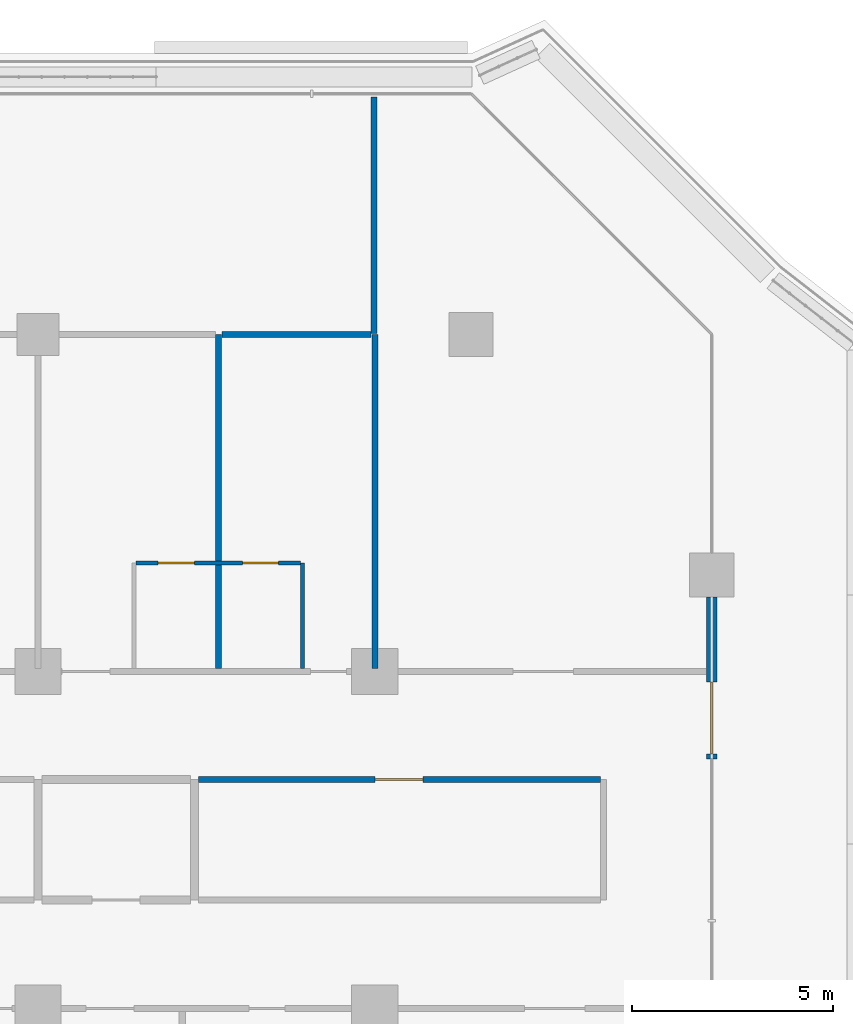
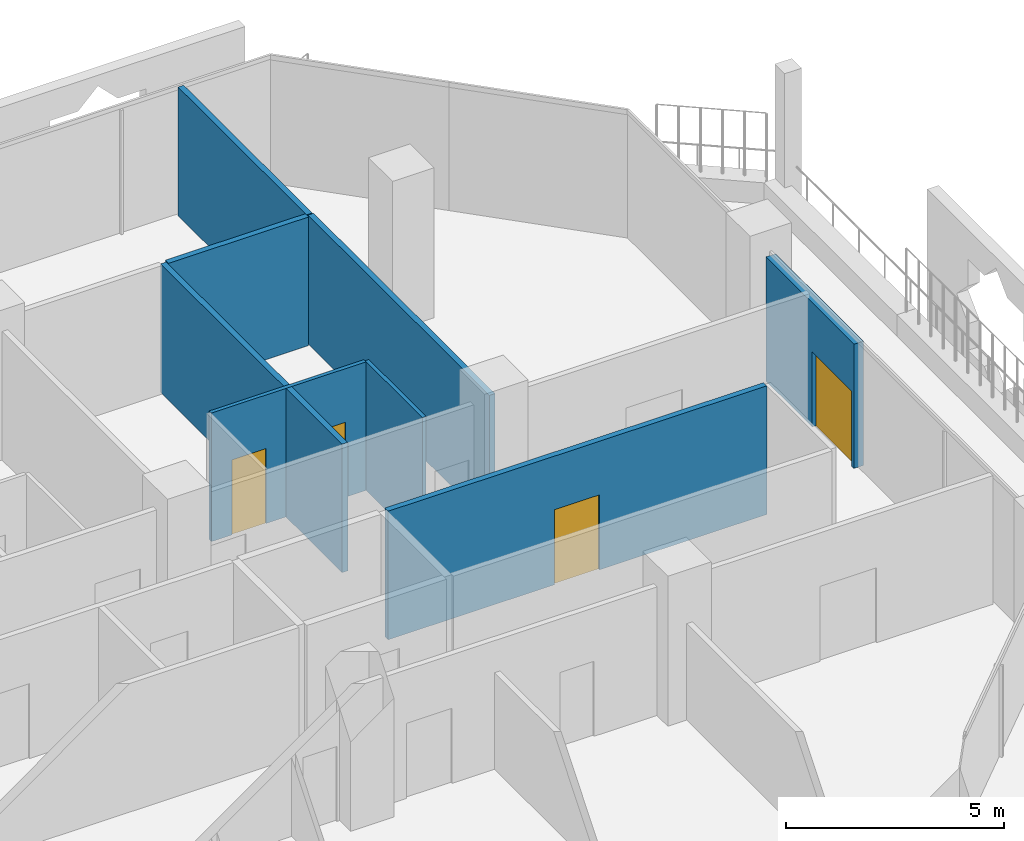
# One storey, part 17 of 25: 8 walls, 4 doors, 4 openings.
"""IFC4 building model written with IfcOpenShell, lengths in metres."""

from ifc_helpers import new_model, si_unit, direction, frame, frame_2d, origin, place, context, subcontext, project, spatial, rectangle, extrude, material, layer, layer_set, type_object, element, fill, save


model = new_model("IFC4")

# Units and contexts
model_context = context("Model", 3, precision=1e-05, world=origin(), true_north=direction((0.0, 1.0)))
body_context = subcontext(model_context, "Body", "Model", "MODEL_VIEW")
ifc_project = project(units=[si_unit("LENGTHUNIT", "METRE"), si_unit("AREAUNIT", "SQUARE_METRE"), si_unit("VOLUMEUNIT", "CUBIC_METRE"), si_unit("PLANEANGLEUNIT", "RADIAN"), si_unit("MASSUNIT", "GRAM", prefix="KILO")], contexts=[model_context])

# Site, building, storey
site_placement = place(None, origin())
site = spatial("IfcSite", under=ifc_project, at=site_placement, CompositionType="ELEMENT")
building_placement = place(site_placement, origin())
building = spatial("IfcBuilding", under=site, at=building_placement, Name="Kawkab Arch Medical Tower", CompositionType="ELEMENT")
storey_placement = place(building_placement, frame((0.0, 0.0, 124.0)))
storey = spatial("IfcBuildingStorey", under=building, at=storey_placement, Name="L28", CompositionType="ELEMENT", Elevation=124.0)

# Wall, opening, door
ifc_material_1 = material(Name="Bronze clad insulated wall panel")
ifc_layer_1 = layer(ifc_material_1, 0.25)
ifc_layer_set_1 = layer_set([ifc_layer_1], Name="Bronze clad insulated wall panel")
wall_type_1 = type_object("IfcWallType", Name="External wall bay 250", PredefinedType="SOLIDWALL", material=ifc_layer_set_1)
wall_1_placement = place(storey_placement, frame((75.60009765625, -10.583251953125, 0.0), z_axis=(0.0, 0.0, 1.0), x_axis=(0.0, 1.0, 0.0)))
wall_1 = element("IfcWall", 1, at=wall_1_placement, inside=storey, type_object=wall_type_1, Name="External wall bay L28.R09.1.3", PredefinedType="SOLIDWALL", context=body_context, shape_type="SweptSolid", body=[
    extrude(rectangle(XDim=4.033203125, YDim=0.25, at=frame_2d((2.0166015625, 0.0))), origin(), (0.0, 0.0, 1.0), 3.47998046875),
])
opening_1_placement = place(wall_1_placement, frame((0.11669921875, 0.0, 0.0)))
opening_1 = element("IfcOpeningElement", 2, at=opening_1_placement, cuts=wall_1, Name="Opening W28-701", PredefinedType="OPENING", context=body_context, shape_type="SweptSolid", body=[
    extrude(rectangle(XDim=1.800048828125, YDim=2.10009765625, at=frame_2d((0.89990234375, 1.050048828125))), frame((0.0, 0.135009765625, 0.0), z_axis=(0.0, -1.0, 0.0), x_axis=(1.0, 0.0, 0.0)), (0.0, 0.0, 1.0), 0.27001953125),
])
ifc_material_2 = material(Name="Bronze anodised aluminium door with tinted glass", Category="aluminium")
door_type_1 = type_object("IfcDoorType", Name="Double external door 1800 x 2100", OperationType="DOUBLE_DOOR_SINGLE_SWING", PredefinedType="DOOR", material=ifc_material_2)
door_1_placement = place(opening_1_placement, origin())
door_1 = element("IfcDoor", 3, at=door_1_placement, inside=storey, type_object=door_type_1, Name="External door L28.R09.1.3", OperationType="DOUBLE_DOOR_SINGLE_SWING", OverallHeight=2.10009765625, OverallWidth=1.800048828125, PredefinedType="DOOR", context=body_context, shape_type="SweptSolid", body=[
    extrude(rectangle(XDim=1.800048828125, YDim=2.10009765625, at=frame_2d((0.89990234375, 1.050048828125))), frame((0.0, 0.02490234375, 0.0), z_axis=(0.0, -1.0, 0.0), x_axis=(1.0, 0.0, 0.0)), (0.0, 0.0, 1.0), 0.050048828125),
])
fill(opening_1, door_1)

# Wall, openings, doors
ifc_material_3 = material(Name="Gypsum board partition on steel studs", Category="steel")
ifc_layer_2 = layer(ifc_material_3, 0.10009765625)
ifc_layer_set_2 = layer_set([ifc_layer_2], Name="Gypsum board partition on steel studs")
wall_type_2 = type_object("IfcWallType", Name="Partition 100", PredefinedType="PARTITIONING", material=ifc_layer_set_2)
wall_2_placement = place(storey_placement, frame((61.25, -5.699951171875, 0.0), z_axis=(0.0, 0.0, 1.0), x_axis=(1.0, 0.0, 0.0)))
wall_2 = element("IfcWall", 4, at=wall_2_placement, inside=storey, type_object=wall_type_2, Name="Partition 100 w008", PredefinedType="PARTITIONING", context=body_context, shape_type="SweptSolid", body=[
    extrude(rectangle(XDim=4.10009765625, YDim=0.10009765625, at=frame_2d((2.050048828125, 0.0))), origin(), (0.0, 0.0, 1.0), 3.60009765625),
])
opening_2_placement = place(wall_2_placement, frame((0.550048828125, 0.0, 0.0)))
opening_2 = element("IfcOpeningElement", 5, at=opening_2_placement, cuts=wall_2, Name="Opening W28-006", PredefinedType="OPENING", context=body_context, shape_type="SweptSolid", body=[
    extrude(rectangle(XDim=0.89990234375, YDim=2.10009765625, at=frame_2d((0.449951171875, 1.050048828125))), frame((0.0, 0.06005859375, 0.0), z_axis=(0.0, -1.0, 0.0), x_axis=(1.0, 0.0, 0.0)), (0.0, 0.0, 1.0), 0.1201171875),
])
opening_3_placement = place(wall_2_placement, frame((2.64990234375, 0.0, 0.0)))
opening_3 = element("IfcOpeningElement", 6, at=opening_3_placement, cuts=wall_2, Name="Opening W28-007", PredefinedType="OPENING", context=body_context, shape_type="SweptSolid", body=[
    extrude(rectangle(XDim=0.89990234375, YDim=2.10009765625, at=frame_2d((0.449951171875, 1.050048828125))), frame((0.0, 0.06005859375, 0.0), z_axis=(0.0, -1.0, 0.0), x_axis=(1.0, 0.0, 0.0)), (0.0, 0.0, 1.0), 0.1201171875),
])
ifc_material_4 = material(Name="Timber door leaf", Category="wood")
door_type_2 = type_object("IfcDoorType", Name="Single door 900x2100", OperationType="NOTDEFINED", PredefinedType="DOOR", material=ifc_material_4)
door_2_placement = place(opening_2_placement, origin())
door_2 = element("IfcDoor", 7, at=door_2_placement, inside=storey, type_object=door_type_2, Name="Door W28-006", OperationType="SINGLE_SWING_LEFT", OverallHeight=2.10009765625, OverallWidth=0.89990234375, PredefinedType="DOOR", context=body_context, shape_type="SweptSolid", body=[
    extrude(rectangle(XDim=0.89990234375, YDim=2.10009765625, at=frame_2d((0.449951171875, 1.050048828125))), frame((0.0, 0.02490234375, 0.0), z_axis=(0.0, -1.0, 0.0), x_axis=(1.0, 0.0, 0.0)), (0.0, 0.0, 1.0), 0.050048828125),
])
fill(opening_2, door_2)
door_3_placement = place(opening_3_placement, origin())
door_3 = element("IfcDoor", 8, at=door_3_placement, inside=storey, type_object=door_type_2, Name="Door W28-007", OperationType="SINGLE_SWING_RIGHT", OverallHeight=2.10009765625, OverallWidth=0.89990234375, PredefinedType="DOOR", context=body_context, shape_type="SweptSolid", body=[
    extrude(rectangle(XDim=0.89990234375, YDim=2.10009765625, at=frame_2d((0.449951171875, 1.050048828125))), frame((0.0, 0.02490234375, 0.0), z_axis=(0.0, -1.0, 0.0), x_axis=(1.0, 0.0, 0.0)), (0.0, 0.0, 1.0), 0.050048828125),
])
fill(opening_3, door_3)

# Wall
wall_3_placement = place(storey_placement, frame((65.39990234375, -8.324951171875, 0.0), z_axis=(0.0, 0.0, 1.0), x_axis=(0.0, 1.0, 0.0)))
element("IfcWall", 9, at=wall_3_placement, inside=storey, type_object=wall_type_2, Name="Partition 100 w018", PredefinedType="PARTITIONING", context=body_context, shape_type="SweptSolid", body=[
    extrude(rectangle(XDim=2.625, YDim=0.10009765625, at=frame_2d((1.3125, 0.0))), origin(), (0.0, 0.0, 1.0), 3.60009765625),
])

# Wall, opening, door
ifc_material_5 = material(Name="Gypsum board partition on steel studs, mineral wool", Category="steel")
ifc_layer_3 = layer(ifc_material_5, 0.14990234375)
ifc_layer_set_3 = layer_set([ifc_layer_3], Name="Gypsum board partition on steel studs, mineral wool")
wall_type_3 = type_object("IfcWallType", Name="Partition 150", PredefinedType="PARTITIONING", material=ifc_layer_set_3)
wall_4_placement = place(storey_placement, frame((62.800048828125, -11.10009765625, 0.0), z_axis=(0.0, 0.0, 1.0), x_axis=(1.0, 0.0, 0.0)))
wall_4 = element("IfcWall", 10, at=wall_4_placement, inside=storey, type_object=wall_type_3, Name="Partition 150 w042", PredefinedType="PARTITIONING", context=body_context, shape_type="SweptSolid", body=[
    extrude(rectangle(XDim=10.02490234375, YDim=0.14990234375, at=frame_2d((5.012451171875, 0.0))), origin(), (0.0, 0.0, 1.0), 3.60009765625),
])
opening_4_placement = place(wall_4_placement, frame((4.39990234375, 0.0, 0.0)))
opening_4 = element("IfcOpeningElement", 11, at=opening_4_placement, cuts=wall_4, Name="Opening W28-038", PredefinedType="OPENING", context=body_context, shape_type="SweptSolid", body=[
    extrude(rectangle(XDim=1.199951171875, YDim=2.10009765625, at=frame_2d((0.60009765625, 1.050048828125))), frame((0.0, 0.0849609375, 0.0), z_axis=(0.0, -1.0, 0.0), x_axis=(1.0, 0.0, 0.0)), (0.0, 0.0, 1.0), 0.169921875),
])
ifc_material_6 = material(Name="Hollow metal door leaf")
door_type_3 = type_object("IfcDoorType", Name="Single door 1200x2100 FD30S", OperationType="NOTDEFINED", PredefinedType="DOOR", material=ifc_material_6)
door_4_placement = place(opening_4_placement, origin())
door_4 = element("IfcDoor", 12, at=door_4_placement, inside=storey, type_object=door_type_3, Name="Door W28-038", OperationType="SINGLE_SWING_RIGHT", OverallHeight=2.10009765625, OverallWidth=1.199951171875, PredefinedType="DOOR", context=body_context, shape_type="SweptSolid", body=[
    extrude(rectangle(XDim=1.199951171875, YDim=2.10009765625, at=frame_2d((0.60009765625, 1.050048828125))), frame((0.0, 0.02490234375, 0.0), z_axis=(0.0, -1.0, 0.0), x_axis=(1.0, 0.0, 0.0)), (0.0, 0.0, 1.0), 0.050048828125),
])
fill(opening_4, door_4)

# Walls
wall_5_placement = place(storey_placement, frame((63.39501953125, 0.0, 0.0), z_axis=(0.0, 0.0, 1.0), x_axis=(1.0, 0.0, 0.0)))
element("IfcWall", 13, at=wall_5_placement, inside=storey, type_object=wall_type_3, Name="Partition 150 w051", PredefinedType="PARTITIONING", context=body_context, shape_type="SweptSolid", body=[
    extrude(rectangle(XDim=3.7099609375, YDim=0.14990234375, at=frame_2d((1.85498046875, 0.0))), origin(), (0.0, 0.0, 1.0), 3.60009765625),
])
wall_6_placement = place(storey_placement, frame((63.300048828125, -8.324951171875, 0.0), z_axis=(0.0, 0.0, 1.0), x_axis=(0.0, 1.0, 0.0)))
element("IfcWall", 14, at=wall_6_placement, inside=storey, type_object=wall_type_3, Name="Partition 150 w083", PredefinedType="PARTITIONING", context=body_context, shape_type="SweptSolid", body=[
    extrude(rectangle(XDim=8.324951171875, YDim=0.14990234375, at=frame_2d((4.16259765625, 0.0))), origin(), (0.0, 0.0, 1.0), 3.60009765625),
])
wall_7_placement = place(storey_placement, frame((67.179931640625, 0.02001953125, 0.0), z_axis=(0.0, 0.0, 1.0), x_axis=(0.0, 1.0, 0.0)))
element("IfcWall", 15, at=wall_7_placement, inside=storey, type_object=wall_type_3, Name="Partition 150 w084", PredefinedType="PARTITIONING", context=body_context, shape_type="SweptSolid", body=[
    extrude(rectangle(XDim=5.89990234375, YDim=0.14990234375, at=frame_2d((2.949951171875, 0.0))), origin(), (0.0, 0.0, 1.0), 3.60009765625),
])
wall_8_placement = place(storey_placement, frame((67.199951171875, -8.324951171875, 0.0), z_axis=(0.0, 0.0, 1.0), x_axis=(0.0, 1.0, 0.0)))
element("IfcWall", 16, at=wall_8_placement, inside=storey, type_object=wall_type_3, Name="Partition 150 w086", PredefinedType="PARTITIONING", context=body_context, shape_type="SweptSolid", body=[
    extrude(rectangle(XDim=8.322998046875, YDim=0.14990234375, at=frame_2d((4.16162109375, 0.0))), origin(), (0.0, 0.0, 1.0), 3.60009765625),
])

save(model, "model.ifc")
